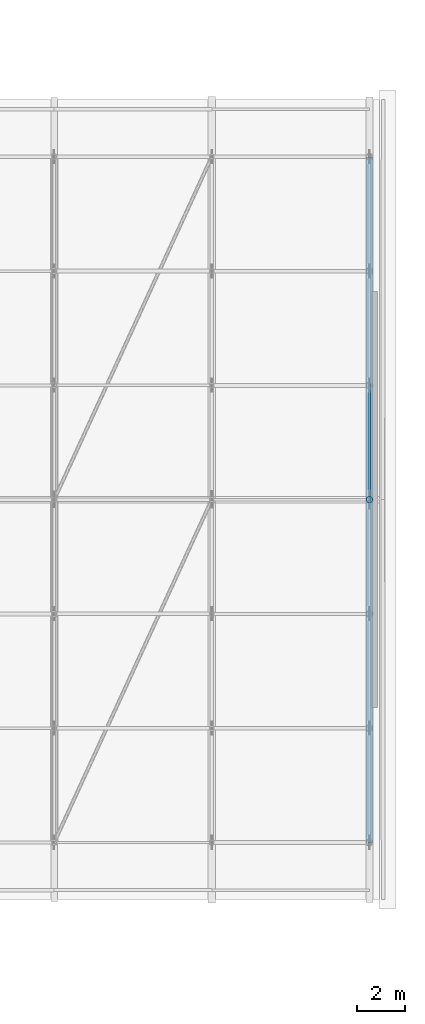
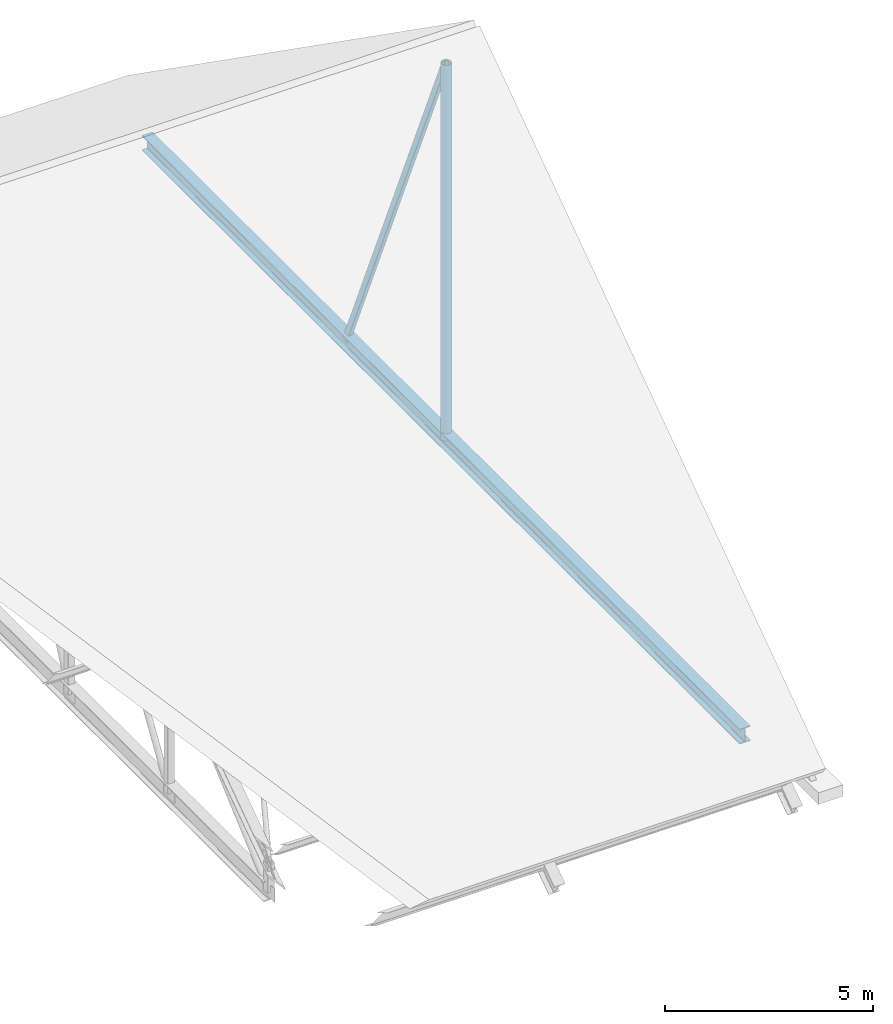
# One storey, part 80 of 134: 3 members.
"""IFC4 building model written with IfcOpenShell, lengths in metres."""

from ifc_helpers import new_model, si_unit, direction, frame, origin, origin_2d, place, context, subcontext, project, spatial, hollow_rectangle, hollow_circle, i_section, extrude, material, material_profile, profile_set, type_object, element, save


model = new_model("IFC4")

# Units and contexts
model_context = context("Model", 3, precision=1e-05, world=origin(), true_north=direction((0.0, 1.0)))
body_context = subcontext(model_context, "Body", "Model", "MODEL_VIEW")
ifc_project = project(units=[si_unit("LENGTHUNIT", "METRE"), si_unit("AREAUNIT", "SQUARE_METRE"), si_unit("VOLUMEUNIT", "CUBIC_METRE"), si_unit("PLANEANGLEUNIT", "RADIAN"), si_unit("MASSUNIT", "GRAM", prefix="KILO")], contexts=[model_context])

# Site, building, storey
site_placement = place(None, origin())
site = spatial("IfcSite", under=ifc_project, at=site_placement, CompositionType="ELEMENT")
building_placement = place(site_placement, origin())
building = spatial("IfcBuilding", under=site, at=building_placement, Name="Asteropetra Specialist Clinic", CompositionType="ELEMENT")
storey_placement = place(building_placement, frame((0.0, 0.0, 8.5)))
storey = spatial("IfcBuildingStorey", under=building, at=storey_placement, Name="L02", CompositionType="ELEMENT", Elevation=8.5)

# Members
ifc_material_1 = material(Name="Steel S355", Category="steel")
ifc_material_profile_1 = material_profile(ifc_material_1, hollow_rectangle(XDim=0.1201171875, YDim=0.199951171875, WallThickness=0.010009765625, InnerFilletRadius=0.008056640625, OuterFilletRadius=0.01611328125, at=origin_2d()), Name="RHS 200x120x10.0")
ifc_profile_set_1 = profile_set([ifc_material_profile_1], Name="Steel S355")
member_type_1 = type_object("IfcMemberType", Name="TR-BRC-RHS200", PredefinedType="BRACE", material=ifc_profile_set_1)
member_1_placement = place(storey_placement, frame((153.10009765625, 91.199951171875, 11.4609375), z_axis=(0.0, 0.398698675406, -0.917081984465), x_axis=(-1.0, 0.0, 0.0)))
element("IfcMember", 1, at=member_1_placement, inside=storey, type_object=member_type_1, Name="Truss Web Diagonal TRV1-D11-3", PredefinedType="BRACE", context=body_context, shape_type="SweptSolid", body=[
    extrude(hollow_rectangle(XDim=0.1201171875, YDim=0.199951171875, WallThickness=0.010009765625, InnerFilletRadius=0.008056640625, OuterFilletRadius=0.01611328125, at=origin_2d()), origin(), (0.0, 0.0, 1.0), 12.039306640625),
])
ifc_material_2 = material(Name="Steel S355", Category="steel")
ifc_material_profile_2 = material_profile(ifc_material_2, i_section(OverallWidth=0.300048828125, OverallDepth=0.43994140625, WebThickness=0.011474609375, FlangeThickness=0.02099609375, FilletRadius=0.027099609375, at=origin_2d()), Name="HEA 450")
ifc_profile_set_2 = profile_set([ifc_material_profile_2], Name="Steel S355")
member_type_2 = type_object("IfcMemberType", Name="TR-CHD-HEA450", PredefinedType="CHORD", material=ifc_profile_set_2)
member_2_placement = place(storey_placement, frame((153.10009765625, 76.800048828125, 0.419921875), z_axis=(0.0, 1.0, 0.0), x_axis=(-1.0, 0.0, 0.0)))
element("IfcMember", 2, at=member_2_placement, inside=storey, type_object=member_type_2, Name="Truss Bottom Chord TRV1-BC11", PredefinedType="CHORD", context=body_context, shape_type="SweptSolid", body=[
    extrude(i_section(OverallWidth=0.300048828125, OverallDepth=0.43994140625, WebThickness=0.011474609375, FlangeThickness=0.02099609375, FilletRadius=0.027099609375, at=origin_2d()), origin(), (0.0, 0.0, 1.0), 28.800048828125),
])
ifc_material_3 = material(Name="Steel S355", Category="steel")
ifc_material_profile_3 = material_profile(ifc_material_3, hollow_circle(Radius=0.136474609375, WallThickness=0.012451171875, at=origin_2d()), Name="CHS 273.0x12.5")
ifc_profile_set_3 = profile_set([ifc_material_profile_3], Name="Steel S355")
member_type_3 = type_object("IfcMemberType", Name="TR-STR-CHS273", PredefinedType="STRUT", material=ifc_profile_set_3)
member_3_placement = place(storey_placement, frame((153.10009765625, 91.199951171875, 0.419921875), z_axis=(0.0, 0.0, 1.0), x_axis=(1.0, 0.0, 0.0)))
element("IfcMember", 3, at=member_3_placement, inside=storey, type_object=member_type_3, Name="Truss Web Strut TRV1-V11-3", PredefinedType="STRUT", context=body_context, shape_type="SweptSolid", body=[
    extrude(hollow_circle(Radius=0.136474609375, WallThickness=0.012451171875, at=origin_2d()), origin(), (0.0, 0.0, 1.0), 11.041015625),
])

save(model, "model.ifc")
